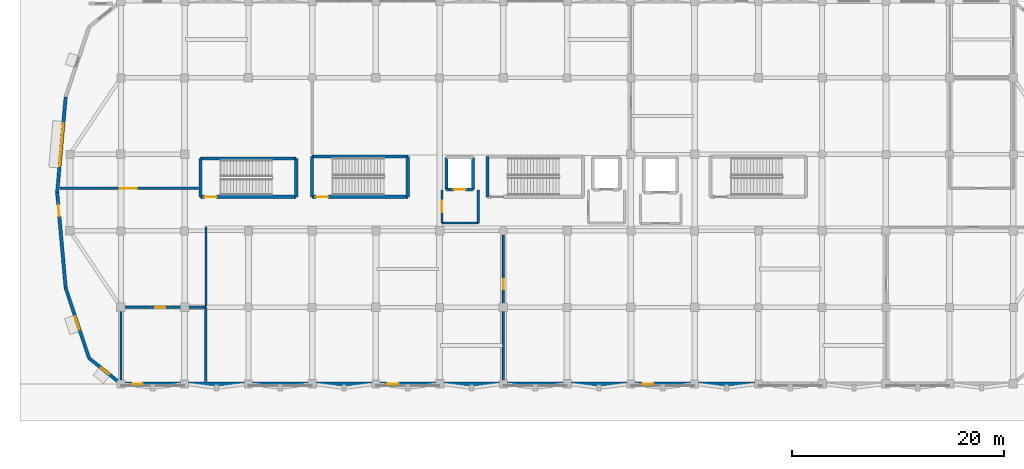
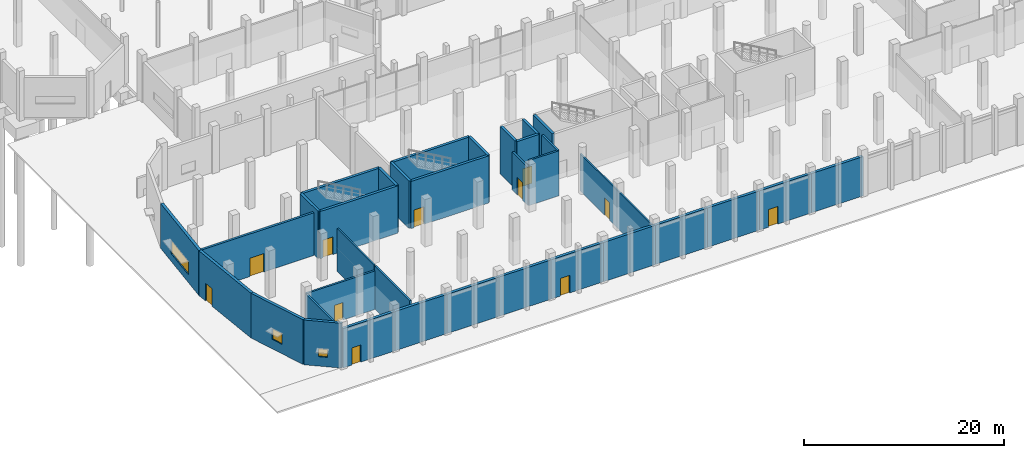
# One storey, part 75 of 103: 35 walls, 11 doors, 3 windows, 14 openings.
"""IFC4 building model written with IfcOpenShell, lengths in metres."""

from ifc_helpers import new_model, si_unit, direction, frame, frame_2d, origin, place, context, subcontext, project, spatial, rectangle, extrude, material, layer, layer_set, type_object, element, fill, save


model = new_model("IFC4")

# Units and contexts
model_context = context("Model", 3, precision=1e-05, world=origin(), true_north=direction((0.0, 1.0)))
body_context = subcontext(model_context, "Body", "Model", "MODEL_VIEW")
ifc_project = project(units=[si_unit("LENGTHUNIT", "METRE"), si_unit("AREAUNIT", "SQUARE_METRE"), si_unit("VOLUMEUNIT", "CUBIC_METRE"), si_unit("PLANEANGLEUNIT", "RADIAN"), si_unit("MASSUNIT", "GRAM", prefix="KILO")], contexts=[model_context])

# Site, building, storey
site_placement = place(None, origin())
site = spatial("IfcSite", under=ifc_project, at=site_placement, CompositionType="ELEMENT")
building_placement = place(site_placement, origin())
building = spatial("IfcBuilding", under=site, at=building_placement, Name="Dunvalen Ferry Terminal", CompositionType="ELEMENT")
storey_placement = place(building_placement, origin())
storey = spatial("IfcBuildingStorey", under=building, at=storey_placement, Name="L00", CompositionType="ELEMENT", Elevation=0.0)

# Wall, opening, door
ifc_material_1 = material(Name="Precast concrete C40/50", Category="concrete")
ifc_layer_1 = layer(ifc_material_1, 0.320068359375, Name="Precast concrete C40/50")
ifc_layer_set_1 = layer_set([ifc_layer_1], Name="Precast concrete C40/50")
wall_type_1 = type_object("IfcWallType", Name="ENV-WL-SPN320", PredefinedType="SOLIDWALL", material=ifc_layer_set_1)
wall_1_placement = place(storey_placement, frame((6.0, 0.0, 0.0), z_axis=(0.0, 0.0, 1.0), x_axis=(1.0, 0.0, 0.0)))
wall_1 = element("IfcWall", 1, at=wall_1_placement, inside=storey, type_object=wall_type_1, Name="L00 Streamline Moderne Facade Wall 01.01", PredefinedType="SOLIDWALL", context=body_context, shape_type="SweptSolid", body=[
    extrude(rectangle(XDim=6.0, YDim=0.320068359375, at=frame_2d((3.0, 0.0))), origin(), (0.0, 0.0, 1.0), 4.7900390625),
])
opening_1_placement = place(wall_1_placement, frame((1.050048828125, 0.0, 0.0)))
opening_1 = element("IfcOpeningElement", 2, at=opening_1_placement, cuts=wall_1, Name="Opening ED-08", PredefinedType="OPENING", context=body_context, shape_type="SweptSolid", body=[
    extrude(rectangle(XDim=1.0, YDim=2.10009765625, at=frame_2d((0.5, 1.050048828125))), frame((0.0, 0.169921875, 0.0), z_axis=(0.0, -1.0, 0.0), x_axis=(1.0, 0.0, 0.0)), (0.0, 0.0, 1.0), 0.340087890625),
])
ifc_material_2 = material(Name="Marine grade powder-coated aluminium and laminated glass", Category="aluminium")
door_type_1 = type_object("IfcDoorType", Name="ENV-DR-EXT-1000", OperationType="NOTDEFINED", PredefinedType="DOOR", material=ifc_material_2)
door_1_placement = place(opening_1_placement, frame((1.0, 0.0, 0.0), z_axis=(0.0, 0.0, 1.0), x_axis=(-1.0, 0.0, 0.0)))
door_1 = element("IfcDoor", 3, at=door_1_placement, inside=storey, type_object=door_type_1, Name="L00 Fire Command Room Forecourt Door", OperationType="SINGLE_SWING_LEFT", OverallHeight=2.10009765625, OverallWidth=1.0, PredefinedType="DOOR", context=body_context, shape_type="SweptSolid", body=[
    extrude(rectangle(XDim=1.0, YDim=2.10009765625, at=frame_2d((0.5, 1.050048828125))), frame((0.0, 0.02490234375, 0.0), z_axis=(0.0, -1.0, 0.0), x_axis=(1.0, 0.0, 0.0)), (0.0, 0.0, 1.0), 0.050048828125),
])
fill(opening_1, door_1)

# Walls
for number, where, z_axis, x_axis, name in (
    (4, (12.0, 0.0, 0.0), (0.0, 0.0, 1.0), (1.0, 0.0, 0.0), "L00 Streamline Moderne Facade Wall 01.02"),
    (5, (18.0, 0.0, 0.0), (0.0, 0.0, 1.0), (1.0, 0.0, 0.0), "L00 Streamline Moderne Facade Wall 01.03"),
    (6, (24.0, 0.0, 0.0), (0.0, 0.0, 1.0), (1.0, 0.0, 0.0), "L00 Streamline Moderne Facade Wall 01.04"),
):
    element("IfcWall", number, at=place(storey_placement, frame(where, z_axis=z_axis, x_axis=x_axis)), inside=storey, type_object=wall_type_1, Name=name, PredefinedType="SOLIDWALL", context=body_context, shape_type="SweptSolid", body=[
        extrude(rectangle(XDim=6.0, YDim=0.320068359375, at=frame_2d((3.0, 0.0))), origin(), (0.0, 0.0, 1.0), 4.7900390625),
    ])

# Wall, opening, door
wall_2_placement = place(storey_placement, frame((30.0, 0.0, 0.0), z_axis=(0.0, 0.0, 1.0), x_axis=(1.0, 0.0, 0.0)))
wall_2 = element("IfcWall", 7, at=wall_2_placement, inside=storey, type_object=wall_type_1, Name="L00 Streamline Moderne Facade Wall 01.05", PredefinedType="SOLIDWALL", context=body_context, shape_type="SweptSolid", body=[
    extrude(rectangle(XDim=6.0, YDim=0.320068359375, at=frame_2d((3.0, 0.0))), origin(), (0.0, 0.0, 1.0), 4.7900390625),
])
opening_2_placement = place(wall_2_placement, frame((1.050048828125, 0.0, 0.0)))
opening_2 = element("IfcOpeningElement", 8, at=opening_2_placement, cuts=wall_2, Name="Opening ED-06", PredefinedType="OPENING", context=body_context, shape_type="SweptSolid", body=[
    extrude(rectangle(XDim=1.10009765625, YDim=2.14990234375, at=frame_2d((0.550048828125, 1.074951171875))), frame((0.0, 0.169921875, 0.0), z_axis=(0.0, -1.0, 0.0), x_axis=(1.0, 0.0, 0.0)), (0.0, 0.0, 1.0), 0.340087890625),
])
door_type_2 = type_object("IfcDoorType", Name="ENV-DR-EXT-1100", OperationType="NOTDEFINED", PredefinedType="DOOR", material=ifc_material_2)
door_2_placement = place(opening_2_placement, frame((1.10009765625, 0.0, 0.0), z_axis=(0.0, 0.0, 1.0), x_axis=(-1.0, 0.0, 0.0)))
door_2 = element("IfcDoor", 9, at=door_2_placement, inside=storey, type_object=door_type_2, Name="L00 Maritime Wing Exterior Exit Door 01-05", OperationType="SINGLE_SWING_RIGHT", OverallHeight=2.14990234375, OverallWidth=1.10009765625, PredefinedType="DOOR", context=body_context, shape_type="SweptSolid", body=[
    extrude(rectangle(XDim=1.10009765625, YDim=2.14990234375, at=frame_2d((0.550048828125, 1.074951171875))), frame((0.0, 0.02490234375, 0.0), z_axis=(0.0, -1.0, 0.0), x_axis=(1.0, 0.0, 0.0)), (0.0, 0.0, 1.0), 0.050048828125),
])
fill(opening_2, door_2)

# Walls
for number, where, z_axis, x_axis, name in (
    (10, (36.0, 0.0, 0.0), (0.0, 0.0, 1.0), (1.0, 0.0, 0.0), "L00 Streamline Moderne Facade Wall 01.06"),
    (11, (42.0, 0.0, 0.0), (0.0, 0.0, 1.0), (1.0, 0.0, 0.0), "L00 Streamline Moderne Facade Wall 01.07"),
    (12, (48.0, 0.0, 0.0), (0.0, 0.0, 1.0), (1.0, 0.0, 0.0), "L00 Streamline Moderne Facade Wall 01.08"),
):
    element("IfcWall", number, at=place(storey_placement, frame(where, z_axis=z_axis, x_axis=x_axis)), inside=storey, type_object=wall_type_1, Name=name, PredefinedType="SOLIDWALL", context=body_context, shape_type="SweptSolid", body=[
        extrude(rectangle(XDim=6.0, YDim=0.320068359375, at=frame_2d((3.0, 0.0))), origin(), (0.0, 0.0, 1.0), 4.7900390625),
    ])

# Wall, opening, door
wall_3_placement = place(storey_placement, frame((54.0, 0.0, 0.0), z_axis=(0.0, 0.0, 1.0), x_axis=(1.0, 0.0, 0.0)))
wall_3 = element("IfcWall", 13, at=wall_3_placement, inside=storey, type_object=wall_type_1, Name="L00 Streamline Moderne Facade Wall 01.09", PredefinedType="SOLIDWALL", context=body_context, shape_type="SweptSolid", body=[
    extrude(rectangle(XDim=6.0, YDim=0.320068359375, at=frame_2d((3.0, 0.0))), origin(), (0.0, 0.0, 1.0), 4.7900390625),
])
opening_3_placement = place(wall_3_placement, frame((1.050048828125, 0.0, 0.0)))
opening_3 = element("IfcOpeningElement", 14, at=opening_3_placement, cuts=wall_3, Name="Opening ED-06", PredefinedType="OPENING", context=body_context, shape_type="SweptSolid", body=[
    extrude(rectangle(XDim=1.10009765625, YDim=2.14990234375, at=frame_2d((0.550048828125, 1.074951171875))), frame((0.0, 0.169921875, 0.0), z_axis=(0.0, -1.0, 0.0), x_axis=(1.0, 0.0, 0.0)), (0.0, 0.0, 1.0), 0.340087890625),
])
door_3_placement = place(opening_3_placement, frame((1.10009765625, 0.0, 0.0), z_axis=(0.0, 0.0, 1.0), x_axis=(-1.0, 0.0, 0.0)))
door_3 = element("IfcDoor", 15, at=door_3_placement, inside=storey, type_object=door_type_2, Name="L00 Maritime Wing Exterior Exit Door 01-09", OperationType="SINGLE_SWING_LEFT", OverallHeight=2.14990234375, OverallWidth=1.10009765625, PredefinedType="DOOR", context=body_context, shape_type="SweptSolid", body=[
    extrude(rectangle(XDim=1.10009765625, YDim=2.14990234375, at=frame_2d((0.550048828125, 1.074951171875))), frame((0.0, 0.02490234375, 0.0), z_axis=(0.0, -1.0, 0.0), x_axis=(1.0, 0.0, 0.0)), (0.0, 0.0, 1.0), 0.050048828125),
])
fill(opening_3, door_3)

# Wall
wall_4_placement = place(storey_placement, frame((60.0, 0.0, 0.0), z_axis=(0.0, 0.0, 1.0), x_axis=(1.0, 0.0, 0.0)))
element("IfcWall", 16, at=wall_4_placement, inside=storey, type_object=wall_type_1, Name="L00 Streamline Moderne Facade Wall 01.10", PredefinedType="SOLIDWALL", context=body_context, shape_type="SweptSolid", body=[
    extrude(rectangle(XDim=6.0, YDim=0.320068359375, at=frame_2d((3.0, 0.0))), origin(), (0.0, 0.0, 1.0), 4.7900390625),
])

# Wall, opening, window
wall_5_placement = place(storey_placement, frame((0.8037109375, 27.0, 0.0), z_axis=(0.0, 0.0, 1.0), x_axis=(-0.088947255406, -0.996036337568, 0.0)))
wall_5 = element("IfcWall", 17, at=wall_5_placement, inside=storey, type_object=wall_type_1, Name="L00 Streamline Moderne Facade Wall 11.01", PredefinedType="SOLIDWALL", context=body_context, shape_type="SweptSolid", body=[
    extrude(rectangle(XDim=9.035888671875, YDim=0.320068359375, at=frame_2d((4.51806640625, 0.0))), origin(), (0.0, 0.0, 1.0), 5.4599609375),
])
opening_4_placement = place(wall_5_placement, frame((2.468017578125, 0.0, 0.949951171875)))
opening_4 = element("IfcOpeningElement", 18, at=opening_4_placement, cuts=wall_5, Name="Opening W-37", PredefinedType="OPENING", context=body_context, shape_type="SweptSolid", body=[
    extrude(rectangle(XDim=4.10009765625, YDim=1.60009765625, at=frame_2d((2.050048828125, 0.800048828125))), frame((0.0, 0.169921875, 0.0), z_axis=(0.0, -1.0, 0.0), x_axis=(1.0, 0.0, 0.0)), (0.0, 0.0, 1.0), 0.340087890625),
])
ifc_material_3 = material(Name="Thermally broken aluminium and double glazing", Category="aluminium")
window_type_1 = type_object("IfcWindowType", Name="ENV-WIN-RIB-37", PartitioningType="SINGLE_PANEL", PredefinedType="WINDOW", material=ifc_material_3)
window_1_placement = place(opening_4_placement, origin())
window_1 = element("IfcWindow", 19, at=window_1_placement, inside=storey, type_object=window_type_1, Name="L00 Streamline Ribbon Window 11.01", OverallHeight=1.60009765625, OverallWidth=4.10009765625, PartitioningType="SINGLE_PANEL", PredefinedType="WINDOW", context=body_context, shape_type="SweptSolid", body=[
    extrude(rectangle(XDim=4.10009765625, YDim=1.60009765625, at=frame_2d((2.050048828125, 0.800048828125))), frame((0.0, 0.030029296875, 0.0), z_axis=(0.0, -1.0, 0.0), x_axis=(1.0, 0.0, 0.0)), (0.0, 0.0, 1.0), 0.06005859375),
])
fill(opening_4, window_1)

# Wall, opening, door
wall_6_placement = place(storey_placement, frame((0.0, 18.0, 0.0), z_axis=(0.0, 0.0, 1.0), x_axis=(0.088947255406, -0.996036337568, 0.0)))
wall_6 = element("IfcWall", 20, at=wall_6_placement, inside=storey, type_object=wall_type_1, Name="L00 Streamline Moderne Facade Wall 12.01", PredefinedType="SOLIDWALL", context=body_context, shape_type="SweptSolid", body=[
    extrude(rectangle(XDim=9.035888671875, YDim=0.320068359375, at=frame_2d((4.51806640625, 0.0))), origin(), (0.0, 0.0, 1.0), 5.4599609375),
])
opening_5_placement = place(wall_6_placement, frame((1.14990234375, 0.0, 0.0)))
opening_5 = element("IfcOpeningElement", 21, at=opening_5_placement, cuts=wall_6, Name="Opening ED-06", PredefinedType="OPENING", context=body_context, shape_type="SweptSolid", body=[
    extrude(rectangle(XDim=1.10009765625, YDim=2.14990234375, at=frame_2d((0.550048828125, 1.074951171875))), frame((0.0, 0.169921875, 0.0), z_axis=(0.0, -1.0, 0.0), x_axis=(1.0, 0.0, 0.0)), (0.0, 0.0, 1.0), 0.340087890625),
])
door_4_placement = place(opening_5_placement, frame((1.10009765625, 0.0, 0.0), z_axis=(0.0, 0.0, 1.0), x_axis=(-1.0, 0.0, 0.0)))
door_4 = element("IfcDoor", 22, at=door_4_placement, inside=storey, type_object=door_type_2, Name="L00 Maritime Wing West Prow Corridor Exit Door", OperationType="SINGLE_SWING_RIGHT", OverallHeight=2.14990234375, OverallWidth=1.10009765625, PredefinedType="DOOR", context=body_context, shape_type="SweptSolid", body=[
    extrude(rectangle(XDim=1.10009765625, YDim=2.14990234375, at=frame_2d((0.550048828125, 1.074951171875))), frame((0.0, 0.02490234375, 0.0), z_axis=(0.0, -1.0, 0.0), x_axis=(1.0, 0.0, 0.0)), (0.0, 0.0, 1.0), 0.050048828125),
])
fill(opening_5, door_4)

# Wall, opening, window
wall_7_placement = place(storey_placement, frame((0.8037109375, 9.0, 0.0), z_axis=(0.0, 0.0, 1.0), x_axis=(0.31624885857, -0.948676266939, 0.0)))
wall_7 = element("IfcWall", 23, at=wall_7_placement, inside=storey, type_object=wall_type_1, Name="L00 Streamline Moderne Facade Wall 13.01", PredefinedType="SOLIDWALL", context=body_context, shape_type="SweptSolid", body=[
    extrude(rectangle(XDim=6.94482421875, YDim=0.320068359375, at=frame_2d((3.472412109375, 0.0))), origin(), (0.0, 0.0, 1.0), 5.4599609375),
])
opening_6_placement = place(wall_7_placement, frame((2.822509765625, 0.0, 1.14990234375)))
opening_6 = element("IfcOpeningElement", 24, at=opening_6_placement, cuts=wall_7, Name="Opening W-42", PredefinedType="OPENING", context=body_context, shape_type="SweptSolid", body=[
    extrude(rectangle(XDim=1.300048828125, YDim=1.300048828125, at=frame_2d((0.64990234375, 0.64990234375))), frame((0.0, 0.169921875, 0.0), z_axis=(0.0, -1.0, 0.0), x_axis=(1.0, 0.0, 0.0)), (0.0, 0.0, 1.0), 0.340087890625),
])
window_type_2 = type_object("IfcWindowType", Name="ENV-WIN-PRT-42", PartitioningType="SINGLE_PANEL", PredefinedType="WINDOW", material=ifc_material_3)
window_2_placement = place(opening_6_placement, origin())
window_2 = element("IfcWindow", 25, at=window_2_placement, inside=storey, type_object=window_type_2, Name="L00 Streamline Ribbon Window 13.01", OverallHeight=1.300048828125, OverallWidth=1.300048828125, PartitioningType="SINGLE_PANEL", PredefinedType="WINDOW", context=body_context, shape_type="SweptSolid", body=[
    extrude(rectangle(XDim=1.300048828125, YDim=1.300048828125, at=frame_2d((0.64990234375, 0.64990234375))), frame((0.0, 0.030029296875, 0.0), z_axis=(0.0, -1.0, 0.0), x_axis=(1.0, 0.0, 0.0)), (0.0, 0.0, 1.0), 0.06005859375),
])
fill(opening_6, window_2)

wall_8_placement = place(storey_placement, frame((3.0, 2.41162109375, 0.0), z_axis=(0.0, 0.0, 1.0), x_axis=(0.779393889884, -0.626534248395, 0.0)))
wall_8 = element("IfcWall", 26, at=wall_8_placement, inside=storey, type_object=wall_type_1, Name="L00 Streamline Moderne Facade Wall 14.01", PredefinedType="SOLIDWALL", context=body_context, shape_type="SweptSolid", body=[
    extrude(rectangle(XDim=3.84912109375, YDim=0.320068359375, at=frame_2d((1.924560546875, 0.0))), origin(), (0.0, 0.0, 1.0), 5.4599609375),
])
opening_7_placement = place(wall_8_placement, frame((1.449462890625, 0.0, 1.14990234375)))
opening_7 = element("IfcOpeningElement", 27, at=opening_7_placement, cuts=wall_8, Name="Opening W-43", PredefinedType="OPENING", context=body_context, shape_type="SweptSolid", body=[
    extrude(rectangle(XDim=0.949951171875, YDim=0.949951171875, at=frame_2d((0.47509765625, 0.47509765625))), frame((0.0, 0.169921875, 0.0), z_axis=(0.0, -1.0, 0.0), x_axis=(1.0, 0.0, 0.0)), (0.0, 0.0, 1.0), 0.340087890625),
])
window_type_3 = type_object("IfcWindowType", Name="ENV-WIN-PRT-43", PartitioningType="SINGLE_PANEL", PredefinedType="WINDOW", material=ifc_material_3)
window_3_placement = place(opening_7_placement, origin())
window_3 = element("IfcWindow", 28, at=window_3_placement, inside=storey, type_object=window_type_3, Name="L00 Streamline Ribbon Window 14.01", OverallHeight=0.949951171875, OverallWidth=0.949951171875, PartitioningType="SINGLE_PANEL", PredefinedType="WINDOW", context=body_context, shape_type="SweptSolid", body=[
    extrude(rectangle(XDim=0.949951171875, YDim=0.949951171875, at=frame_2d((0.47509765625, 0.47509765625))), frame((0.0, 0.030029296875, 0.0), z_axis=(0.0, -1.0, 0.0), x_axis=(1.0, 0.0, 0.0)), (0.0, 0.0, 1.0), 0.06005859375),
])
fill(opening_7, window_3)

# Wall, opening, door
ifc_material_4 = material(Name="Concrete C35/45", Category="concrete")
ifc_layer_2 = layer(ifc_material_4, 0.219970703125, Name="Concrete C35/45")
ifc_layer_set_2 = layer_set([ifc_layer_2], Name="Concrete C35/45")
wall_type_2 = type_object("IfcWallType", Name="INT-WL-CMP220", PredefinedType="SOLIDWALL", material=ifc_layer_set_2)
wall_9_placement = place(storey_placement, frame((36.219970703125, 18.25, 0.0), z_axis=(0.0, 0.0, 1.0), x_axis=(0.0, -1.0, 0.0)))
wall_9 = element("IfcWall", 29, at=wall_9_placement, inside=storey, type_object=wall_type_2, Name="L00 L00 Firefighting Lift Lobby LF-01 Partition 2", PredefinedType="SOLIDWALL", context=body_context, shape_type="SweptSolid", body=[
    extrude(rectangle(XDim=3.110107421875, YDim=0.219970703125, at=frame_2d((1.55517578125, 0.0))), origin(), (0.0, 0.0, 1.0), 4.639892578125),
])
opening_8_placement = place(wall_9_placement, frame((1.0048828125, 0.0, 0.0)))
opening_8 = element("IfcOpeningElement", 30, at=opening_8_placement, cuts=wall_9, Name="Opening ID-03", PredefinedType="OPENING", context=body_context, shape_type="SweptSolid", body=[
    extrude(rectangle(XDim=1.10009765625, YDim=2.14990234375, at=frame_2d((0.550048828125, 1.074951171875))), frame((0.0, 0.1201171875, 0.0), z_axis=(0.0, -1.0, 0.0), x_axis=(1.0, 0.0, 0.0)), (0.0, 0.0, 1.0), 0.239990234375),
])
ifc_material_5 = material(Name="Powder-coated steel fire door", Category="steel")
door_type_3 = type_object("IfcDoorType", Name="INT-DR-FFL-1100", OperationType="NOTDEFINED", PredefinedType="DOOR", material=ifc_material_5)
door_5_placement = place(opening_8_placement, origin())
door_5 = element("IfcDoor", 31, at=door_5_placement, inside=storey, type_object=door_type_3, Name="L00 Firefighting Lift Lobby LF-01 Door", OperationType="SINGLE_SWING_LEFT", OverallHeight=2.14990234375, OverallWidth=1.10009765625, PredefinedType="DOOR", context=body_context, shape_type="SweptSolid", body=[
    extrude(rectangle(XDim=1.10009765625, YDim=2.14990234375, at=frame_2d((0.550048828125, 1.074951171875))), frame((0.0, 0.02490234375, 0.0), z_axis=(0.0, -1.0, 0.0), x_axis=(1.0, 0.0, 0.0)), (0.0, 0.0, 1.0), 0.050048828125),
])
fill(opening_8, door_5)

# Walls
wall_10_placement = place(storey_placement, frame((36.219970703125, 15.139892578125, 0.0), z_axis=(0.0, 0.0, 1.0), x_axis=(1.0, 0.0, 0.0)))
element("IfcWall", 32, at=wall_10_placement, inside=storey, type_object=wall_type_2, Name="L00 L00 Firefighting Lift Lobby LF-01 Partition 3", PredefinedType="SOLIDWALL", context=body_context, shape_type="SweptSolid", body=[
    extrude(rectangle(XDim=3.419921875, YDim=0.219970703125, at=frame_2d((1.7099609375, 0.0))), origin(), (0.0, 0.0, 1.0), 5.5),
])
wall_11_placement = place(storey_placement, frame((39.639892578125, 15.139892578125, 0.0), z_axis=(0.0, 0.0, 1.0), x_axis=(0.0, 1.0, 0.0)))
element("IfcWall", 33, at=wall_11_placement, inside=storey, type_object=wall_type_2, Name="L00 L00 Firefighting Lift Lobby LF-01 Partition 4", PredefinedType="SOLIDWALL", context=body_context, shape_type="SweptSolid", body=[
    extrude(rectangle(XDim=3.110107421875, YDim=0.219970703125, at=frame_2d((1.55517578125, 0.0))), origin(), (0.0, 0.0, 1.0), 5.5),
])

# Wall, opening, door
wall_12_placement = place(storey_placement, frame((14.0, 7.199951171875, 0.0), z_axis=(0.0, 0.0, 1.0), x_axis=(-1.0, 0.0, 0.0)))
wall_12 = element("IfcWall", 34, at=wall_12_placement, inside=storey, type_object=wall_type_2, Name="L00 L00 Fire Command Room Partition 1", PredefinedType="SOLIDWALL", context=body_context, shape_type="SweptSolid", body=[
    extrude(rectangle(XDim=8.0, YDim=0.219970703125, at=frame_2d((4.0, 0.0))), origin(), (0.0, 0.0, 1.0), 4.68994140625),
])
opening_9_placement = place(wall_12_placement, frame((3.81201171875, 0.0, 0.0)))
opening_9 = element("IfcOpeningElement", 35, at=opening_9_placement, cuts=wall_12, Name="Opening ID-11", PredefinedType="OPENING", context=body_context, shape_type="SweptSolid", body=[
    extrude(rectangle(XDim=0.97998046875, YDim=2.1201171875, at=frame_2d((0.489990234375, 1.06005859375))), frame((0.0, 0.1201171875, 0.0), z_axis=(0.0, -1.0, 0.0), x_axis=(1.0, 0.0, 0.0)), (0.0, 0.0, 1.0), 0.239990234375),
])
ifc_material_6 = material(Name="FSC European oak acoustic fire door", Category="wood")
door_type_4 = type_object("IfcDoorType", Name="INT-DR-OFF-0980", OperationType="NOTDEFINED", PredefinedType="DOOR", material=ifc_material_6)
door_6_placement = place(opening_9_placement, origin())
door_6 = element("IfcDoor", 36, at=door_6_placement, inside=storey, type_object=door_type_4, Name="L00 Fire Command Room Door", OperationType="SINGLE_SWING_RIGHT", OverallHeight=2.1201171875, OverallWidth=0.97998046875, PredefinedType="DOOR", context=body_context, shape_type="SweptSolid", body=[
    extrude(rectangle(XDim=0.97998046875, YDim=2.1201171875, at=frame_2d((0.489990234375, 1.06005859375))), frame((0.0, 0.02490234375, 0.0), z_axis=(0.0, -1.0, 0.0), x_axis=(1.0, 0.0, 0.0)), (0.0, 0.0, 1.0), 0.050048828125),
])
fill(opening_9, door_6)

# Walls
wall_13_placement = place(storey_placement, frame((6.0, 7.199951171875, 0.0), z_axis=(0.0, 0.0, 1.0), x_axis=(0.0, -1.0, 0.0)))
element("IfcWall", 37, at=wall_13_placement, inside=storey, type_object=wall_type_2, Name="L00 L00 Fire Command Room Partition 2", PredefinedType="SOLIDWALL", context=body_context, shape_type="SweptSolid", body=[
    extrude(rectangle(XDim=6.917724609375, YDim=0.219970703125, at=frame_2d((3.458984375, 0.0))), origin(), (0.0, 0.0, 1.0), 4.639892578125),
])
wall_14_placement = place(storey_placement, frame((14.0, 0.219970703125, 0.0), z_axis=(0.0, 0.0, 1.0), x_axis=(0.0, 1.0, 0.0)))
element("IfcWall", 38, at=wall_14_placement, inside=storey, type_object=wall_type_2, Name="L00 L00 Fire Command Room Partition 5", PredefinedType="SOLIDWALL", context=body_context, shape_type="SweptSolid", body=[
    extrude(rectangle(XDim=6.97998046875, YDim=0.219970703125, at=frame_2d((3.489990234375, 0.0))), origin(), (0.0, 0.0, 1.0), 5.199951171875),
])

# Wall, opening, door
ifc_layer_3 = layer(ifc_material_4, 0.260009765625, Name="Concrete C35/45")
ifc_layer_set_3 = layer_set([ifc_layer_3], Name="Concrete C35/45")
wall_type_3 = type_object("IfcWallType", Name="INT-WL-CMP260", PredefinedType="SOLIDWALL", material=ifc_layer_set_3)
wall_15_placement = place(storey_placement, frame((0.256591796875, 18.39990234375, 0.0), z_axis=(0.0, 0.0, 1.0), x_axis=(1.0, 0.0, 0.0)))
wall_15 = element("IfcWall", 39, at=wall_15_placement, inside=storey, type_object=wall_type_3, Name="L00 L00 Terminal Switchgear and Communications Plant Room Partition 12", PredefinedType="SOLIDWALL", context=body_context, shape_type="SweptSolid", body=[
    extrude(rectangle(XDim=13.033447265625, YDim=0.260009765625, at=frame_2d((6.5166015625, 0.0))), origin(), (0.0, 0.0, 1.0), 5.199951171875),
])
opening_10_placement = place(wall_15_placement, frame((5.64111328125, 0.0, 0.0)))
opening_10 = element("IfcOpeningElement", 40, at=opening_10_placement, cuts=wall_15, Name="Opening ID-05", PredefinedType="OPENING", context=body_context, shape_type="SweptSolid", body=[
    extrude(rectangle(XDim=1.60009765625, YDim=2.25, at=frame_2d((0.800048828125, 1.125))), frame((0.0, 0.14013671875, 0.0), z_axis=(0.0, -1.0, 0.0), x_axis=(1.0, 0.0, 0.0)), (0.0, 0.0, 1.0), 0.280029296875),
])
ifc_material_7 = material(Name="Galvanised acoustic steel fire door", Category="steel")
door_type_5 = type_object("IfcDoorType", Name="INT-DR-PLT-1600", OperationType="DOUBLE_SWING_LEFT", PredefinedType="DOOR", material=ifc_material_7)
door_7_placement = place(opening_10_placement, origin())
door_7 = element("IfcDoor", 41, at=door_7_placement, inside=storey, type_object=door_type_5, Name="L00 Terminal Switchgear and Communications Plant Room Door", OperationType="DOUBLE_SWING_LEFT", OverallHeight=2.25, OverallWidth=1.60009765625, PredefinedType="DOOR", context=body_context, shape_type="SweptSolid", body=[
    extrude(rectangle(XDim=1.60009765625, YDim=2.25, at=frame_2d((0.800048828125, 1.125))), frame((0.0, 0.02490234375, 0.0), z_axis=(0.0, -1.0, 0.0), x_axis=(1.0, 0.0, 0.0)), (0.0, 0.0, 1.0), 0.050048828125),
])
fill(opening_10, door_7)

ifc_material_8 = material(Name="Metal-stud acoustic partition", Category="gypsum")
ifc_layer_4 = layer(ifc_material_8, 0.169921875, Name="Metal-stud acoustic partition")
ifc_layer_set_4 = layer_set([ifc_layer_4], Name="Metal-stud acoustic partition")
wall_type_4 = type_object("IfcWallType", Name="INT-WL-PRT170", PredefinedType="PARTITIONING", material=ifc_layer_set_4)
wall_16_placement = place(storey_placement, frame((42.0, 0.219970703125, 0.0), z_axis=(0.0, 0.0, 1.0), x_axis=(0.0, 1.0, 0.0)))
wall_16 = element("IfcWall", 42, at=wall_16_placement, inside=storey, type_object=wall_type_4, Name="L00 L00 Port Security and Access Control Suite Partition 1", PredefinedType="PARTITIONING", context=body_context, shape_type="SweptSolid", body=[
    extrude(rectangle(XDim=14.52001953125, YDim=0.169921875, at=frame_2d((7.260009765625, 0.0))), origin(), (0.0, 0.0, 1.0), 4.5400390625),
])
opening_11_placement = place(wall_16_placement, frame((8.6611328125, 0.0, 0.0)))
opening_11 = element("IfcOpeningElement", 43, at=opening_11_placement, cuts=wall_16, Name="Opening ID-11", PredefinedType="OPENING", context=body_context, shape_type="SweptSolid", body=[
    extrude(rectangle(XDim=0.97998046875, YDim=2.1201171875, at=frame_2d((0.489990234375, 1.06005859375))), frame((0.0, 0.094970703125, 0.0), z_axis=(0.0, -1.0, 0.0), x_axis=(1.0, 0.0, 0.0)), (0.0, 0.0, 1.0), 0.18994140625),
])
door_8_placement = place(opening_11_placement, origin())
door_8 = element("IfcDoor", 44, at=door_8_placement, inside=storey, type_object=door_type_4, Name="L00 Port Security and Access Control Suite Door", OperationType="SINGLE_SWING_LEFT", OverallHeight=2.1201171875, OverallWidth=0.97998046875, PredefinedType="DOOR", context=body_context, shape_type="SweptSolid", body=[
    extrude(rectangle(XDim=0.97998046875, YDim=2.1201171875, at=frame_2d((0.489990234375, 1.06005859375))), frame((0.0, 0.02490234375, 0.0), z_axis=(0.0, -1.0, 0.0), x_axis=(1.0, 0.0, 0.0)), (0.0, 0.0, 1.0), 0.050048828125),
])
fill(opening_11, door_8)

# Walls
wall_17_placement = place(storey_placement, frame((14.0, 14.739990234375, 0.0), z_axis=(0.0, 0.0, 1.0), x_axis=(0.0, -1.0, 0.0)))
element("IfcWall", 45, at=wall_17_placement, inside=storey, type_object=wall_type_4, Name="L00 L00 Port Security and Access Control Suite Partition 3", PredefinedType="PARTITIONING", context=body_context, shape_type="SweptSolid", body=[
    extrude(rectangle(XDim=7.3798828125, YDim=0.169921875, at=frame_2d((3.68994140625, 0.0))), origin(), (0.0, 0.0, 1.0), 5.199951171875),
])
ifc_material_9 = material(Name="Concrete C40/50", Category="concrete")
ifc_layer_5 = layer(ifc_material_9, 0.300048828125, Name="Concrete C40/50")
ifc_layer_set_5 = layer_set([ifc_layer_5], Name="Concrete C40/50")
wall_type_5 = type_object("IfcWallType", Name="STR-WL-SHR300", PredefinedType="SHEAR", material=ifc_layer_set_5)
for number, where, z_axis, x_axis, name in (
    (46, (24.0, 17.60009765625, 0.0), (0.0, 0.0, 1.0), (0.0, 1.0, 0.0), "L00 ST1 Core West Shear Wall"),
    (47, (33.0, 17.60009765625, 0.0), (0.0, 0.0, 1.0), (0.0, 1.0, 0.0), "L00 ST1 Core East Shear Wall"),
    (48, (40.5, 17.60009765625, 0.0), (0.0, 0.0, 1.0), (0.0, 1.0, 0.0), "L00 ST2 Core West Shear Wall"),
):
    element("IfcWall", number, at=place(storey_placement, frame(where, z_axis=z_axis, x_axis=x_axis)), inside=storey, type_object=wall_type_5, Name=name, PredefinedType="SHEAR", context=body_context, shape_type="SweptSolid", body=[
        extrude(rectangle(XDim=3.7998046875, YDim=0.300048828125, at=frame_2d((1.89990234375, 0.0))), origin(), (0.0, 0.0, 1.0), 5.760009765625),
    ])
for number, where, z_axis, x_axis, name in (
    (49, (13.5, 17.60009765625, 0.0), (0.0, 0.0, 1.0), (0.0, 1.0, 0.0), "L00 ST5 Core West Shear Wall"),
    (50, (22.5, 17.60009765625, 0.0), (0.0, 0.0, 1.0), (0.0, 1.0, 0.0), "L00 ST5 Core East Shear Wall"),
):
    element("IfcWall", number, at=place(storey_placement, frame(where, z_axis=z_axis, x_axis=x_axis)), inside=storey, type_object=wall_type_5, Name=name, PredefinedType="SHEAR", context=body_context, shape_type="SweptSolid", body=[
        extrude(rectangle(XDim=3.599853515625, YDim=0.300048828125, at=frame_2d((1.7998046875, 0.0))), origin(), (0.0, 0.0, 1.0), 5.760009765625),
    ])
wall_18_placement = place(storey_placement, frame((24.0, 21.39990234375, 0.0), z_axis=(0.0, 0.0, 1.0), x_axis=(1.0, 0.0, 0.0)))
element("IfcWall", 51, at=wall_18_placement, inside=storey, type_object=wall_type_5, Name="L00 ST1 Core North Shear Wall", PredefinedType="SHEAR", context=body_context, shape_type="SweptSolid", body=[
    extrude(rectangle(XDim=9.0, YDim=0.300048828125, at=frame_2d((4.5, 0.0))), origin(), (0.0, 0.0, 1.0), 5.760009765625),
])

# Wall, opening, door
wall_19_placement = place(storey_placement, frame((24.0, 17.60009765625, 0.0), z_axis=(0.0, 0.0, 1.0), x_axis=(1.0, 0.0, 0.0)))
wall_19 = element("IfcWall", 52, at=wall_19_placement, inside=storey, type_object=wall_type_5, Name="L00 ST1 Core South Shear Wall", PredefinedType="SHEAR", context=body_context, shape_type="SweptSolid", body=[
    extrude(rectangle(XDim=9.0, YDim=0.300048828125, at=frame_2d((4.5, 0.0))), origin(), (0.0, 0.0, 1.0), 5.760009765625),
])
opening_12_placement = place(wall_19_placement, frame((0.35009765625, 0.0, 0.0)))
opening_12 = element("IfcOpeningElement", 53, at=opening_12_placement, cuts=wall_19, Name="Opening ID-02", PredefinedType="OPENING", context=body_context, shape_type="SweptSolid", body=[
    extrude(rectangle(XDim=1.14990234375, YDim=2.14990234375, at=frame_2d((0.574951171875, 1.074951171875))), frame((0.0, 0.16015625, 0.0), z_axis=(0.0, -1.0, 0.0), x_axis=(1.0, 0.0, 0.0)), (0.0, 0.0, 1.0), 0.320068359375),
])
door_type_6 = type_object("IfcDoorType", Name="INT-DR-STR-1150", OperationType="NOTDEFINED", PredefinedType="DOOR", material=ifc_material_5)
door_9_placement = place(opening_12_placement, frame((1.14990234375, 0.0, 0.0), z_axis=(0.0, 0.0, 1.0), x_axis=(-1.0, 0.0, 0.0)))
door_9 = element("IfcDoor", 54, at=door_9_placement, inside=storey, type_object=door_type_6, Name="L00 ST1 Escape Stair Fire Door", OperationType="SINGLE_SWING_RIGHT", OverallHeight=2.14990234375, OverallWidth=1.14990234375, PredefinedType="DOOR", context=body_context, shape_type="SweptSolid", body=[
    extrude(rectangle(XDim=1.14990234375, YDim=2.14990234375, at=frame_2d((0.574951171875, 1.074951171875))), frame((0.0, 0.02490234375, 0.0), z_axis=(0.0, -1.0, 0.0), x_axis=(1.0, 0.0, 0.0)), (0.0, 0.0, 1.0), 0.050048828125),
])
fill(opening_12, door_9)

# Wall
wall_20_placement = place(storey_placement, frame((13.5, 21.199951171875, 0.0), z_axis=(0.0, 0.0, 1.0), x_axis=(1.0, 0.0, 0.0)))
element("IfcWall", 55, at=wall_20_placement, inside=storey, type_object=wall_type_5, Name="L00 ST5 Core North Shear Wall", PredefinedType="SHEAR", context=body_context, shape_type="SweptSolid", body=[
    extrude(rectangle(XDim=9.0, YDim=0.300048828125, at=frame_2d((4.5, 0.0))), origin(), (0.0, 0.0, 1.0), 5.760009765625),
])

# Wall, opening, door
wall_21_placement = place(storey_placement, frame((13.5, 17.60009765625, 0.0), z_axis=(0.0, 0.0, 1.0), x_axis=(1.0, 0.0, 0.0)))
wall_21 = element("IfcWall", 56, at=wall_21_placement, inside=storey, type_object=wall_type_5, Name="L00 ST5 Core South Shear Wall", PredefinedType="SHEAR", context=body_context, shape_type="SweptSolid", body=[
    extrude(rectangle(XDim=9.0, YDim=0.300048828125, at=frame_2d((4.5, 0.0))), origin(), (0.0, 0.0, 1.0), 5.760009765625),
])
opening_13_placement = place(wall_21_placement, frame((0.35009765625, 0.0, 0.0)))
opening_13 = element("IfcOpeningElement", 57, at=opening_13_placement, cuts=wall_21, Name="Opening ID-02", PredefinedType="OPENING", context=body_context, shape_type="SweptSolid", body=[
    extrude(rectangle(XDim=1.14990234375, YDim=2.14990234375, at=frame_2d((0.574951171875, 1.074951171875))), frame((0.0, 0.16015625, 0.0), z_axis=(0.0, -1.0, 0.0), x_axis=(1.0, 0.0, 0.0)), (0.0, 0.0, 1.0), 0.320068359375),
])
door_10_placement = place(opening_13_placement, frame((1.14990234375, 0.0, 0.0), z_axis=(0.0, 0.0, 1.0), x_axis=(-1.0, 0.0, 0.0)))
door_10 = element("IfcDoor", 58, at=door_10_placement, inside=storey, type_object=door_type_6, Name="L00 ST5 Escape Stair Fire Door", OperationType="SINGLE_SWING_LEFT", OverallHeight=2.14990234375, OverallWidth=1.14990234375, PredefinedType="DOOR", context=body_context, shape_type="SweptSolid", body=[
    extrude(rectangle(XDim=1.14990234375, YDim=2.14990234375, at=frame_2d((0.574951171875, 1.074951171875))), frame((0.0, 0.02490234375, 0.0), z_axis=(0.0, -1.0, 0.0), x_axis=(1.0, 0.0, 0.0)), (0.0, 0.0, 1.0), 0.050048828125),
])
fill(opening_13, door_10)

wall_22_placement = place(storey_placement, frame((36.64990234375, 18.300048828125, 0.0), z_axis=(0.0, 0.0, 1.0), x_axis=(1.0, 0.0, 0.0)))
wall_22 = element("IfcWall", 59, at=wall_22_placement, inside=storey, type_object=wall_type_5, Name="L00 LF-01 Lift Shaft S Wall", PredefinedType="SHEAR", context=body_context, shape_type="SweptSolid", body=[
    extrude(rectangle(XDim=2.5, YDim=0.300048828125, at=frame_2d((1.25, 0.0))), origin(), (0.0, 0.0, 1.0), 5.760009765625),
])
opening_14_placement = place(wall_22_placement, frame((0.699951171875, 0.0, 0.0)))
opening_14 = element("IfcOpeningElement", 60, at=opening_14_placement, cuts=wall_22, Name="Opening LD-01", PredefinedType="OPENING", context=body_context, shape_type="SweptSolid", body=[
    extrude(rectangle(XDim=1.10009765625, YDim=2.10009765625, at=frame_2d((0.550048828125, 1.050048828125))), frame((0.0, 0.16015625, 0.0), z_axis=(0.0, -1.0, 0.0), x_axis=(1.0, 0.0, 0.0)), (0.0, 0.0, 1.0), 0.320068359375),
])
ifc_material_10 = material(Name="Brushed 316 stainless steel", Category="steel")
door_type_7 = type_object("IfcDoorType", Name="INT-DR-LFT-1100", OperationType="SLIDING_TO_LEFT", PredefinedType="DOOR", material=ifc_material_10)
door_11_placement = place(opening_14_placement, origin())
door_11 = element("IfcDoor", 61, at=door_11_placement, inside=storey, type_object=door_type_7, Name="L00 LF-01 Lift Sliding Landing Door", OperationType="SLIDING_TO_LEFT", OverallHeight=2.10009765625, OverallWidth=1.10009765625, PredefinedType="DOOR", context=body_context, shape_type="SweptSolid", body=[
    extrude(rectangle(XDim=1.10009765625, YDim=2.10009765625, at=frame_2d((0.550048828125, 1.050048828125))), frame((0.0, 0.02490234375, 0.0), z_axis=(0.0, -1.0, 0.0), x_axis=(1.0, 0.0, 0.0)), (0.0, 0.0, 1.0), 0.050048828125),
])
fill(opening_14, door_11)

# Walls
for number, where, z_axis, x_axis, name in (
    (62, (36.64990234375, 18.300048828125, 0.0), (0.0, 0.0, 1.0), (0.0, 1.0, 0.0), "L00 LF-01 Lift Shaft W Wall"),
    (63, (39.14990234375, 18.300048828125, 0.0), (0.0, 0.0, 1.0), (0.0, 1.0, 0.0), "L00 LF-01 Lift Shaft E Wall"),
):
    element("IfcWall", number, at=place(storey_placement, frame(where, z_axis=z_axis, x_axis=x_axis)), inside=storey, type_object=wall_type_5, Name=name, PredefinedType="SHEAR", context=body_context, shape_type="SweptSolid", body=[
        extrude(rectangle(XDim=3.0, YDim=0.300048828125, at=frame_2d((1.5, 0.0))), origin(), (0.0, 0.0, 1.0), 5.760009765625),
    ])

save(model, "model.ifc")
